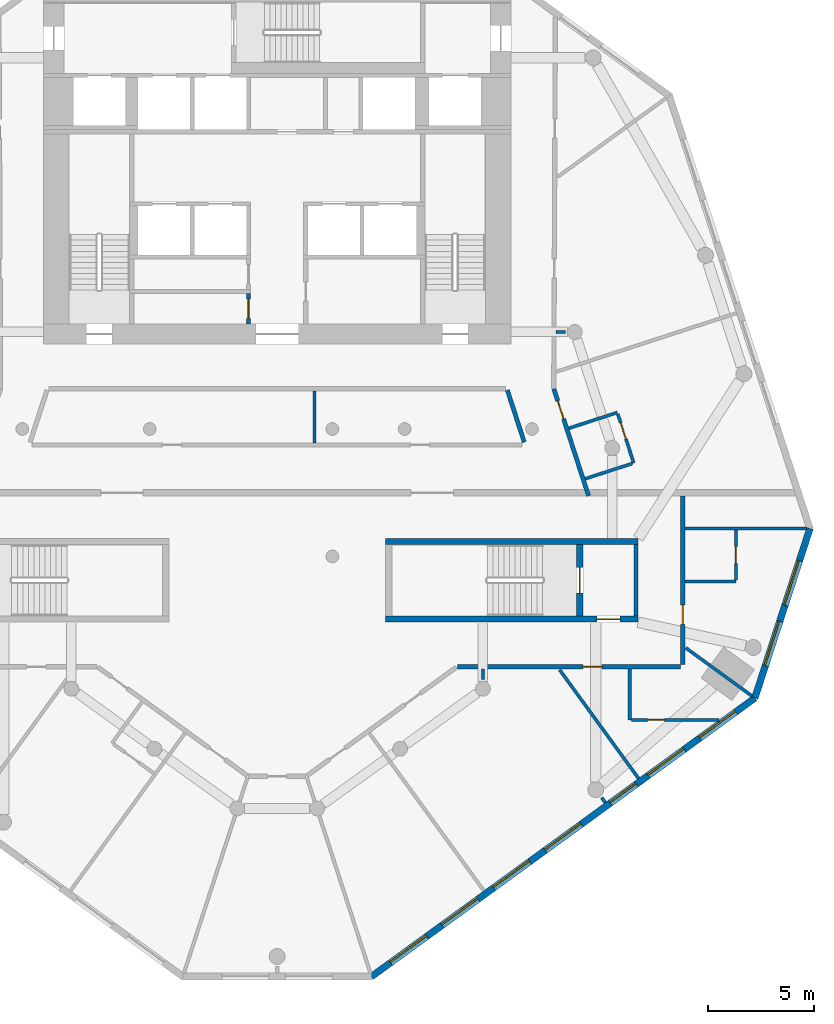
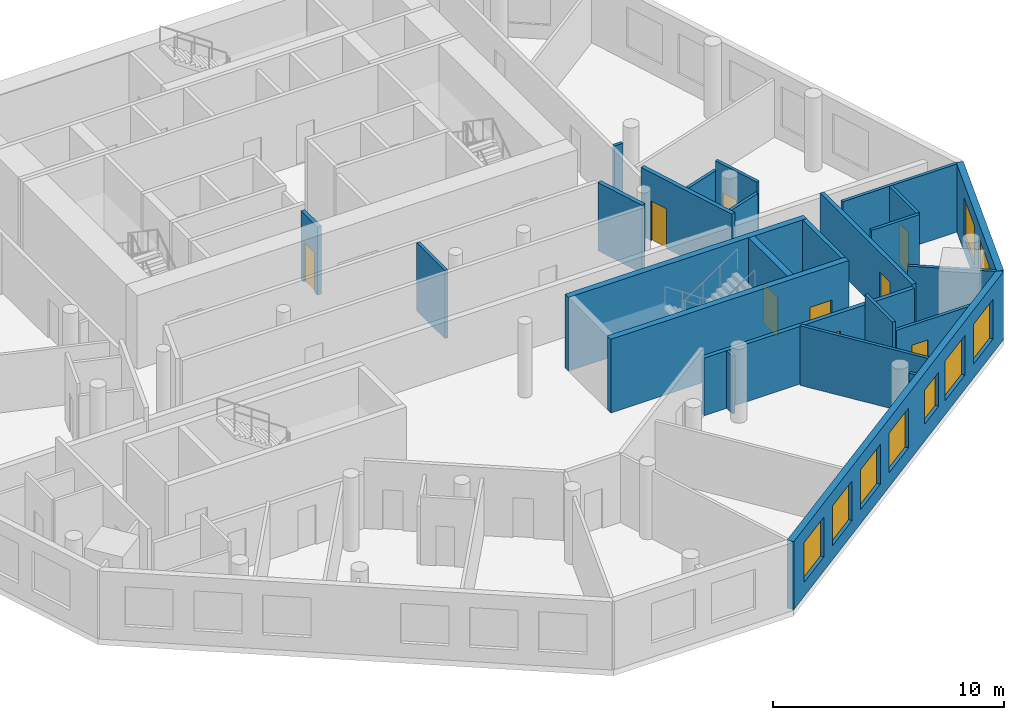
# One storey, part 4 of 9: 25 walls, 9 doors, 9 windows, 18 openings.
"""IFC4 building model written with IfcOpenShell, lengths in metres."""

from ifc_helpers import new_model, si_unit, direction, frame, frame_2d, origin, place, context, subcontext, project, spatial, rectangle, extrude, material, layer, layer_set, type_object, element, fill, save


model = new_model("IFC4")

# Units and contexts
model_context = context("Model", 3, precision=1e-05, world=origin(), true_north=direction((0.0, 1.0)))
body_context = subcontext(model_context, "Body", "Model", "MODEL_VIEW")
ifc_project = project(units=[si_unit("LENGTHUNIT", "METRE"), si_unit("AREAUNIT", "SQUARE_METRE"), si_unit("VOLUMEUNIT", "CUBIC_METRE"), si_unit("PLANEANGLEUNIT", "RADIAN"), si_unit("MASSUNIT", "GRAM", prefix="KILO")], contexts=[model_context])

# Site, building, storey
site_placement = place(None, origin())
site = spatial("IfcSite", under=ifc_project, at=site_placement, CompositionType="ELEMENT")
building_placement = place(site_placement, origin())
building = spatial("IfcBuilding", under=site, at=building_placement, Name="White Candle Pilgrim Tower", CompositionType="ELEMENT")
storey_placement = place(building_placement, frame((0.0, 0.0, 175.89990234375)))
storey = spatial("IfcBuildingStorey", under=building, at=storey_placement, Name="L40", CompositionType="ELEMENT", Elevation=175.89990234375)

# Wall
ifc_material_1 = material(Name="Concrete C60/75", Category="concrete")
ifc_layer_1 = layer(ifc_material_1, 0.199951171875)
ifc_layer_set_1 = layer_set([ifc_layer_1], Name="Core wall 200 mm Concrete C60/75")
wall_type_1 = type_object("IfcWallType", Name="Core wall 200 mm Concrete C60/75", PredefinedType="SHEAR", material=ifc_layer_set_1)
wall_1_placement = place(storey_placement, frame((86.89990234375, 58.199951171875, 0.0), z_axis=(0.0, 0.0, 1.0), x_axis=(0.0, 1.0, 0.0)))
element("IfcWall", 1, at=wall_1_placement, inside=storey, type_object=wall_type_1, Name="WL-L40-C08", PredefinedType="SHEAR", context=body_context, shape_type="SweptSolid", body=[
    extrude(rectangle(XDim=3.35009765625, YDim=0.199951171875, at=frame_2d((1.675048828125, 0.0))), origin(), (0.0, 0.0, 1.0), 3.900146484375),
])

# Wall, opening, door
ifc_material_2 = material(Name="Gypsum board on steel studs", Category="steel")
ifc_layer_2 = layer(ifc_material_2, 0.199951171875)
ifc_layer_set_2 = layer_set([ifc_layer_2], Name="Corridor wall 200 mm EI 45")
wall_type_2 = type_object("IfcWallType", Name="Corridor wall 200 mm EI 45", PredefinedType="PARTITIONING", material=ifc_layer_set_2)
wall_2_placement = place(storey_placement, frame((83.029541015625, 68.884765625, 0.0), z_axis=(0.0, 0.0, 1.0), x_axis=(0.308996388153, -0.951063211416, 0.0)))
wall_2 = element("IfcWall", 2, at=wall_2_placement, inside=storey, type_object=wall_type_2, Name="WL-L40-P005", PredefinedType="PARTITIONING", context=body_context, shape_type="SweptSolid", body=[
    extrude(rectangle(XDim=5.293701171875, YDim=0.199951171875, at=frame_2d((2.64697265625, 0.0))), origin(), (0.0, 0.0, 1.0), 3.60009765625),
])
opening_1_placement = place(wall_2_placement, frame((0.588134765625, 0.0, 0.0)))
opening_1 = element("IfcOpeningElement", 3, at=opening_1_placement, cuts=wall_2, Name="Opening T12-127", PredefinedType="OPENING", context=body_context, shape_type="SweptSolid", body=[
    extrude(rectangle(XDim=0.89990234375, YDim=2.10009765625, at=frame_2d((0.449951171875, 1.050048828125))), frame((0.0, 0.10986328125, 0.0), z_axis=(0.0, -1.0, 0.0), x_axis=(1.0, 0.0, 0.0)), (0.0, 0.0, 1.0), 0.219970703125),
])
ifc_material_3 = material(Name="Steel door leaf", Category="steel")
door_type_1 = type_object("IfcDoorType", Name="Fire door 900 x 2100 EI 30", OperationType="NOTDEFINED", PredefinedType="DOOR", material=ifc_material_3)
door_1_placement = place(opening_1_placement, origin())
door_1 = element("IfcDoor", 4, at=door_1_placement, inside=storey, type_object=door_type_1, Name="Door T12-127", OperationType="SINGLE_SWING_LEFT", OverallHeight=2.10009765625, OverallWidth=0.89990234375, PredefinedType="DOOR", context=body_context, shape_type="SweptSolid", body=[
    extrude(rectangle(XDim=0.89990234375, YDim=2.10009765625, at=frame_2d((0.449951171875, 1.050048828125))), frame((0.0, 0.02490234375, 0.0), z_axis=(0.0, -1.0, 0.0), x_axis=(1.0, 0.0, 0.0)), (0.0, 0.0, 1.0), 0.050048828125),
])
fill(opening_1, door_1)

wall_3_placement = place(storey_placement, frame((89.10009765625, 63.85009765625, 0.0), z_axis=(0.0, 0.0, 1.0), x_axis=(0.0, -1.0, 0.0)))
wall_3 = element("IfcWall", 5, at=wall_3_placement, inside=storey, type_object=wall_type_2, Name="WL-L40-P006", PredefinedType="PARTITIONING", context=body_context, shape_type="SweptSolid", body=[
    extrude(rectangle(XDim=7.9501953125, YDim=0.199951171875, at=frame_2d((3.97509765625, 0.0))), origin(), (0.0, 0.0, 1.0), 3.150146484375),
])
opening_2_placement = place(wall_3_placement, frame((5.145263671875, 0.0, 0.0)))
opening_2 = element("IfcOpeningElement", 6, at=opening_2_placement, cuts=wall_3, Name="Opening T12-116", PredefinedType="OPENING", context=body_context, shape_type="SweptSolid", body=[
    extrude(rectangle(XDim=0.89990234375, YDim=2.10009765625, at=frame_2d((0.449951171875, 1.050048828125))), frame((0.0, 0.10986328125, 0.0), z_axis=(0.0, -1.0, 0.0), x_axis=(1.0, 0.0, 0.0)), (0.0, 0.0, 1.0), 0.219970703125),
])
door_2_placement = place(opening_2_placement, origin())
door_2 = element("IfcDoor", 7, at=door_2_placement, inside=storey, type_object=door_type_1, Name="Door T12-116", OperationType="SINGLE_SWING_RIGHT", OverallHeight=2.10009765625, OverallWidth=0.89990234375, PredefinedType="DOOR", context=body_context, shape_type="SweptSolid", body=[
    extrude(rectangle(XDim=0.89990234375, YDim=2.10009765625, at=frame_2d((0.449951171875, 1.050048828125))), frame((0.0, 0.02490234375, 0.0), z_axis=(0.0, -1.0, 0.0), x_axis=(1.0, 0.0, 0.0)), (0.0, 0.0, 1.0), 0.050048828125),
])
fill(opening_2, door_2)

wall_4_placement = place(storey_placement, frame((89.0, 55.800048828125, 0.0), z_axis=(0.0, 0.0, 1.0), x_axis=(-1.0, 0.0, 0.0)))
wall_4 = element("IfcWall", 8, at=wall_4_placement, inside=storey, type_object=wall_type_2, Name="WL-L40-P007", PredefinedType="PARTITIONING", context=body_context, shape_type="SweptSolid", body=[
    extrude(rectangle(XDim=10.5068359375, YDim=0.199951171875, at=frame_2d((5.25341796875, 0.0))), origin(), (0.0, 0.0, 1.0), 3.050048828125),
])
opening_3_placement = place(wall_4_placement, frame((3.700927734375, 0.0, 0.0)))
opening_3 = element("IfcOpeningElement", 9, at=opening_3_placement, cuts=wall_4, Name="Opening T12-114", PredefinedType="OPENING", context=body_context, shape_type="SweptSolid", body=[
    extrude(rectangle(XDim=0.89990234375, YDim=2.10009765625, at=frame_2d((0.449951171875, 1.050048828125))), frame((0.0, 0.10986328125, 0.0), z_axis=(0.0, -1.0, 0.0), x_axis=(1.0, 0.0, 0.0)), (0.0, 0.0, 1.0), 0.219970703125),
])
door_3_placement = place(opening_3_placement, origin())
door_3 = element("IfcDoor", 10, at=door_3_placement, inside=storey, type_object=door_type_1, Name="Door T12-114", OperationType="SINGLE_SWING_RIGHT", OverallHeight=2.10009765625, OverallWidth=0.89990234375, PredefinedType="DOOR", context=body_context, shape_type="SweptSolid", body=[
    extrude(rectangle(XDim=0.89990234375, YDim=2.10009765625, at=frame_2d((0.449951171875, 1.050048828125))), frame((0.0, 0.02490234375, 0.0), z_axis=(0.0, -1.0, 0.0), x_axis=(1.0, 0.0, 0.0)), (0.0, 0.0, 1.0), 0.050048828125),
])
fill(opening_3, door_3)

# Wall
wall_5_placement = place(storey_placement, frame((81.635009765625, 66.380859375, 0.0), z_axis=(0.0, 0.0, 1.0), x_axis=(-0.309053927645, 0.951044515155, 0.0)))
element("IfcWall", 11, at=wall_5_placement, inside=storey, type_object=wall_type_2, Name="WL-L40-P015", PredefinedType="PARTITIONING", context=body_context, shape_type="SweptSolid", body=[
    extrude(rectangle(XDim=2.576171875, YDim=0.199951171875, at=frame_2d((1.2880859375, 0.0))), origin(), (0.0, 0.0, 1.0), 3.60009765625),
])

# Wall, openings, windows
ifc_material_4 = material(Name="Precast concrete C40/50", Category="concrete")
ifc_layer_3 = layer(ifc_material_4, 0.320068359375)
ifc_layer_set_3 = layer_set([ifc_layer_3], Name="Facade wall EW1 precast concrete C40/50 pier wall with timber-lined reveals")
wall_type_3 = type_object("IfcWallType", Name="Facade wall EW1 precast concrete C40/50 pier wall with timber-lined reveals", PredefinedType="SOLIDWALL", material=ifc_layer_set_3)
wall_6_placement = place(storey_placement, frame((74.44384765625, 41.213134765625, 0.0), z_axis=(0.0, 0.0, 1.0), x_axis=(0.80901752216, 0.587784525858, 0.0)))
wall_6 = element("IfcWall", 12, at=wall_6_placement, inside=storey, type_object=wall_type_3, Name="Facade wall L40 SE", PredefinedType="SOLIDWALL", context=body_context, shape_type="SweptSolid", body=[
    extrude(rectangle(XDim=22.3125, YDim=0.320068359375, at=frame_2d((11.15625, 0.0))), origin(), (0.0, 0.0, 1.0), 3.60009765625),
])
opening_4_placement = place(wall_6_placement, frame((1.1064453125, 0.0, 0.75)))
opening_4 = element("IfcOpeningElement", 13, at=opening_4_placement, cuts=wall_6, Name="Opening W3", PredefinedType="OPENING", context=body_context, shape_type="SweptSolid", body=[
    extrude(rectangle(XDim=2.10009765625, YDim=2.10009765625, at=frame_2d((1.050048828125, 1.050048828125))), frame((0.0, 0.169921875, 0.0), z_axis=(0.0, -1.0, 0.0), x_axis=(1.0, 0.0, 0.0)), (0.0, 0.0, 1.0), 0.340087890625),
])
opening_5_placement = place(wall_6_placement, frame((4.1064453125, 0.0, 0.75)))
opening_5 = element("IfcOpeningElement", 14, at=opening_5_placement, cuts=wall_6, Name="Opening W3", PredefinedType="OPENING", context=body_context, shape_type="SweptSolid", body=[
    extrude(rectangle(XDim=2.10009765625, YDim=2.10009765625, at=frame_2d((1.050048828125, 1.050048828125))), frame((0.0, 0.169921875, 0.0), z_axis=(0.0, -1.0, 0.0), x_axis=(1.0, 0.0, 0.0)), (0.0, 0.0, 1.0), 0.340087890625),
])
opening_6_placement = place(wall_6_placement, frame((7.1064453125, 0.0, 0.75)))
opening_6 = element("IfcOpeningElement", 15, at=opening_6_placement, cuts=wall_6, Name="Opening W3", PredefinedType="OPENING", context=body_context, shape_type="SweptSolid", body=[
    extrude(rectangle(XDim=2.10009765625, YDim=2.10009765625, at=frame_2d((1.050048828125, 1.050048828125))), frame((0.0, 0.169921875, 0.0), z_axis=(0.0, -1.0, 0.0), x_axis=(1.0, 0.0, 0.0)), (0.0, 0.0, 1.0), 0.340087890625),
])
opening_7_placement = place(wall_6_placement, frame((10.1064453125, 0.0, 0.75)))
opening_7 = element("IfcOpeningElement", 16, at=opening_7_placement, cuts=wall_6, Name="Opening W3", PredefinedType="OPENING", context=body_context, shape_type="SweptSolid", body=[
    extrude(rectangle(XDim=2.10009765625, YDim=2.10009765625, at=frame_2d((1.050048828125, 1.050048828125))), frame((0.0, 0.169921875, 0.0), z_axis=(0.0, -1.0, 0.0), x_axis=(1.0, 0.0, 0.0)), (0.0, 0.0, 1.0), 0.340087890625),
])
opening_8_placement = place(wall_6_placement, frame((13.906494140625, 0.0, 0.89990234375)))
opening_8 = element("IfcOpeningElement", 17, at=opening_8_placement, cuts=wall_6, Name="Opening W1", PredefinedType="OPENING", context=body_context, shape_type="SweptSolid", body=[
    extrude(rectangle(XDim=1.5, YDim=1.800048828125, at=frame_2d((0.75, 0.89990234375))), frame((0.0, 0.169921875, 0.0), z_axis=(0.0, -1.0, 0.0), x_axis=(1.0, 0.0, 0.0)), (0.0, 0.0, 1.0), 0.340087890625),
])
opening_9_placement = place(wall_6_placement, frame((16.1064453125, 0.0, 0.75)))
opening_9 = element("IfcOpeningElement", 18, at=opening_9_placement, cuts=wall_6, Name="Opening W3", PredefinedType="OPENING", context=body_context, shape_type="SweptSolid", body=[
    extrude(rectangle(XDim=2.10009765625, YDim=2.10009765625, at=frame_2d((1.050048828125, 1.050048828125))), frame((0.0, 0.169921875, 0.0), z_axis=(0.0, -1.0, 0.0), x_axis=(1.0, 0.0, 0.0)), (0.0, 0.0, 1.0), 0.340087890625),
])
opening_10_placement = place(wall_6_placement, frame((19.1064453125, 0.0, 0.75)))
opening_10 = element("IfcOpeningElement", 19, at=opening_10_placement, cuts=wall_6, Name="Opening W3", PredefinedType="OPENING", context=body_context, shape_type="SweptSolid", body=[
    extrude(rectangle(XDim=2.10009765625, YDim=2.10009765625, at=frame_2d((1.050048828125, 1.050048828125))), frame((0.0, 0.169921875, 0.0), z_axis=(0.0, -1.0, 0.0), x_axis=(1.0, 0.0, 0.0)), (0.0, 0.0, 1.0), 0.340087890625),
])
ifc_material_5 = material(Name="Timber frame with triple glazing", Category="wood")
window_type_1 = type_object("IfcWindowType", Name="Window W1 1500x1800 timber frame triple glazing", PartitioningType="SINGLE_PANEL", PredefinedType="WINDOW", material=ifc_material_5)
window_1_placement = place(opening_8_placement, origin())
window_1 = element("IfcWindow", 20, at=window_1_placement, inside=storey, type_object=window_type_1, Name="Window W1 L40 SE 5", OverallHeight=1.800048828125, OverallWidth=1.5, PartitioningType="SINGLE_PANEL", PredefinedType="WINDOW", context=body_context, shape_type="SweptSolid", body=[
    extrude(rectangle(XDim=1.5, YDim=1.800048828125, at=frame_2d((0.75, 0.89990234375))), frame((0.0, 0.070068359375, 0.0), z_axis=(0.0, -1.0, 0.0), x_axis=(1.0, 0.0, 0.0)), (0.0, 0.0, 1.0), 0.06005859375),
])
fill(opening_8, window_1)
window_type_2 = type_object("IfcWindowType", Name="Window W3 2100x2100 timber frame triple glazing", PartitioningType="SINGLE_PANEL", PredefinedType="WINDOW", material=ifc_material_5)
window_2_placement = place(opening_4_placement, origin())
window_2 = element("IfcWindow", 21, at=window_2_placement, inside=storey, type_object=window_type_2, Name="Window W3 L40 SE 1", OverallHeight=2.10009765625, OverallWidth=2.10009765625, PartitioningType="SINGLE_PANEL", PredefinedType="WINDOW", context=body_context, shape_type="SweptSolid", body=[
    extrude(rectangle(XDim=2.10009765625, YDim=2.10009765625, at=frame_2d((1.050048828125, 1.050048828125))), frame((0.0, 0.070068359375, 0.0), z_axis=(0.0, -1.0, 0.0), x_axis=(1.0, 0.0, 0.0)), (0.0, 0.0, 1.0), 0.06005859375),
])
fill(opening_4, window_2)
window_3_placement = place(opening_5_placement, origin())
window_3 = element("IfcWindow", 22, at=window_3_placement, inside=storey, type_object=window_type_2, Name="Window W3 L40 SE 2", OverallHeight=2.10009765625, OverallWidth=2.10009765625, PartitioningType="SINGLE_PANEL", PredefinedType="WINDOW", context=body_context, shape_type="SweptSolid", body=[
    extrude(rectangle(XDim=2.10009765625, YDim=2.10009765625, at=frame_2d((1.050048828125, 1.050048828125))), frame((0.0, 0.070068359375, 0.0), z_axis=(0.0, -1.0, 0.0), x_axis=(1.0, 0.0, 0.0)), (0.0, 0.0, 1.0), 0.06005859375),
])
fill(opening_5, window_3)
window_4_placement = place(opening_6_placement, origin())
window_4 = element("IfcWindow", 23, at=window_4_placement, inside=storey, type_object=window_type_2, Name="Window W3 L40 SE 3", OverallHeight=2.10009765625, OverallWidth=2.10009765625, PartitioningType="SINGLE_PANEL", PredefinedType="WINDOW", context=body_context, shape_type="SweptSolid", body=[
    extrude(rectangle(XDim=2.10009765625, YDim=2.10009765625, at=frame_2d((1.050048828125, 1.050048828125))), frame((0.0, 0.070068359375, 0.0), z_axis=(0.0, -1.0, 0.0), x_axis=(1.0, 0.0, 0.0)), (0.0, 0.0, 1.0), 0.06005859375),
])
fill(opening_6, window_4)
window_5_placement = place(opening_7_placement, origin())
window_5 = element("IfcWindow", 24, at=window_5_placement, inside=storey, type_object=window_type_2, Name="Window W3 L40 SE 4", OverallHeight=2.10009765625, OverallWidth=2.10009765625, PartitioningType="SINGLE_PANEL", PredefinedType="WINDOW", context=body_context, shape_type="SweptSolid", body=[
    extrude(rectangle(XDim=2.10009765625, YDim=2.10009765625, at=frame_2d((1.050048828125, 1.050048828125))), frame((0.0, 0.070068359375, 0.0), z_axis=(0.0, -1.0, 0.0), x_axis=(1.0, 0.0, 0.0)), (0.0, 0.0, 1.0), 0.06005859375),
])
fill(opening_7, window_5)
window_6_placement = place(opening_9_placement, origin())
window_6 = element("IfcWindow", 25, at=window_6_placement, inside=storey, type_object=window_type_2, Name="Window W3 L40 SE 6", OverallHeight=2.10009765625, OverallWidth=2.10009765625, PartitioningType="SINGLE_PANEL", PredefinedType="WINDOW", context=body_context, shape_type="SweptSolid", body=[
    extrude(rectangle(XDim=2.10009765625, YDim=2.10009765625, at=frame_2d((1.050048828125, 1.050048828125))), frame((0.0, 0.070068359375, 0.0), z_axis=(0.0, -1.0, 0.0), x_axis=(1.0, 0.0, 0.0)), (0.0, 0.0, 1.0), 0.06005859375),
])
fill(opening_9, window_6)
window_7_placement = place(opening_10_placement, origin())
window_7 = element("IfcWindow", 26, at=window_7_placement, inside=storey, type_object=window_type_2, Name="Window W3 L40 SE 7", OverallHeight=2.10009765625, OverallWidth=2.10009765625, PartitioningType="SINGLE_PANEL", PredefinedType="WINDOW", context=body_context, shape_type="SweptSolid", body=[
    extrude(rectangle(XDim=2.10009765625, YDim=2.10009765625, at=frame_2d((1.050048828125, 1.050048828125))), frame((0.0, 0.070068359375, 0.0), z_axis=(0.0, -1.0, 0.0), x_axis=(1.0, 0.0, 0.0)), (0.0, 0.0, 1.0), 0.06005859375),
])
fill(opening_10, window_7)

wall_7_placement = place(storey_placement, frame((92.4951171875, 54.328125, 0.0), z_axis=(0.0, 0.0, 1.0), x_axis=(0.309022961141, 0.951054577555, 0.0)))
wall_7 = element("IfcWall", 27, at=wall_7_placement, inside=storey, type_object=wall_type_3, Name="Facade wall L40 E chamfer", PredefinedType="SOLIDWALL", context=body_context, shape_type="SweptSolid", body=[
    extrude(rectangle(XDim=8.3974609375, YDim=0.320068359375, at=frame_2d((4.19873046875, 0.0))), origin(), (0.0, 0.0, 1.0), 3.60009765625),
])
opening_11_placement = place(wall_7_placement, frame((1.5986328125, 0.0, 0.75)))
opening_11 = element("IfcOpeningElement", 28, at=opening_11_placement, cuts=wall_7, Name="Opening W4", PredefinedType="OPENING", context=body_context, shape_type="SweptSolid", body=[
    extrude(rectangle(XDim=2.199951171875, YDim=2.10009765625, at=frame_2d((1.10009765625, 1.050048828125))), frame((0.0, 0.169921875, 0.0), z_axis=(0.0, -1.0, 0.0), x_axis=(1.0, 0.0, 0.0)), (0.0, 0.0, 1.0), 0.340087890625),
])
opening_12_placement = place(wall_7_placement, frame((4.5986328125, 0.0, 0.75)))
opening_12 = element("IfcOpeningElement", 29, at=opening_12_placement, cuts=wall_7, Name="Opening W4", PredefinedType="OPENING", context=body_context, shape_type="SweptSolid", body=[
    extrude(rectangle(XDim=2.199951171875, YDim=2.10009765625, at=frame_2d((1.10009765625, 1.050048828125))), frame((0.0, 0.169921875, 0.0), z_axis=(0.0, -1.0, 0.0), x_axis=(1.0, 0.0, 0.0)), (0.0, 0.0, 1.0), 0.340087890625),
])
window_type_3 = type_object("IfcWindowType", Name="Window W4 2200x2100 timber frame triple glazing", PartitioningType="SINGLE_PANEL", PredefinedType="WINDOW", material=ifc_material_5)
window_8_placement = place(opening_11_placement, origin())
window_8 = element("IfcWindow", 30, at=window_8_placement, inside=storey, type_object=window_type_3, Name="Window W4 L40 E chamfer 1", OverallHeight=2.10009765625, OverallWidth=2.199951171875, PartitioningType="SINGLE_PANEL", PredefinedType="WINDOW", context=body_context, shape_type="SweptSolid", body=[
    extrude(rectangle(XDim=2.199951171875, YDim=2.10009765625, at=frame_2d((1.10009765625, 1.050048828125))), frame((0.0, 0.070068359375, 0.0), z_axis=(0.0, -1.0, 0.0), x_axis=(1.0, 0.0, 0.0)), (0.0, 0.0, 1.0), 0.06005859375),
])
fill(opening_11, window_8)
window_9_placement = place(opening_12_placement, origin())
window_9 = element("IfcWindow", 31, at=window_9_placement, inside=storey, type_object=window_type_3, Name="Window W4 L40 E chamfer 2", OverallHeight=2.10009765625, OverallWidth=2.199951171875, PartitioningType="SINGLE_PANEL", PredefinedType="WINDOW", context=body_context, shape_type="SweptSolid", body=[
    extrude(rectangle(XDim=2.199951171875, YDim=2.10009765625, at=frame_2d((1.10009765625, 1.050048828125))), frame((0.0, 0.070068359375, 0.0), z_axis=(0.0, -1.0, 0.0), x_axis=(1.0, 0.0, 0.0)), (0.0, 0.0, 1.0), 0.06005859375),
])
fill(opening_12, window_9)

# Wall, opening, door
ifc_layer_4 = layer(ifc_material_2, 0.199951171875)
ifc_layer_set_4 = layer_set([ifc_layer_4], Name="Lobby wall 200 mm EI 60")
wall_type_4 = type_object("IfcWallType", Name="Lobby wall 200 mm EI 60", PredefinedType="PARTITIONING", material=ifc_layer_set_4)
wall_8_placement = place(storey_placement, frame((68.64990234375, 71.949951171875, 0.0), z_axis=(0.0, 0.0, 1.0), x_axis=(0.0, 1.0, 0.0)))
wall_8 = element("IfcWall", 32, at=wall_8_placement, inside=storey, type_object=wall_type_4, Name="WL-L40-C14", PredefinedType="PARTITIONING", context=body_context, shape_type="SweptSolid", body=[
    extrude(rectangle(XDim=1.425048828125, YDim=0.199951171875, at=frame_2d((0.71240234375, 0.0))), origin(), (0.0, 0.0, 1.0), 3.60009765625),
])
opening_13_placement = place(wall_8_placement, frame((0.262451171875, 0.0, 0.0)))
opening_13 = element("IfcOpeningElement", 33, at=opening_13_placement, cuts=wall_8, Name="Opening T12-005", PredefinedType="OPENING", context=body_context, shape_type="SweptSolid", body=[
    extrude(rectangle(XDim=0.89990234375, YDim=2.10009765625, at=frame_2d((0.449951171875, 1.050048828125))), frame((0.0, 0.10986328125, 0.0), z_axis=(0.0, -1.0, 0.0), x_axis=(1.0, 0.0, 0.0)), (0.0, 0.0, 1.0), 0.219970703125),
])
door_4_placement = place(opening_13_placement, origin())
door_4 = element("IfcDoor", 34, at=door_4_placement, inside=storey, type_object=door_type_1, Name="Door T12-005", OperationType="SINGLE_SWING_LEFT", OverallHeight=2.10009765625, OverallWidth=0.89990234375, PredefinedType="DOOR", context=body_context, shape_type="SweptSolid", body=[
    extrude(rectangle(XDim=0.89990234375, YDim=2.10009765625, at=frame_2d((0.449951171875, 1.050048828125))), frame((0.0, 0.02490234375, 0.0), z_axis=(0.0, -1.0, 0.0), x_axis=(1.0, 0.0, 0.0)), (0.0, 0.0, 1.0), 0.050048828125),
])
fill(opening_13, door_4)

# Walls
ifc_layer_5 = layer(ifc_material_2, 0.14990234375)
ifc_layer_set_5 = layer_set([ifc_layer_5], Name="Partition 150 mm EI 60")
wall_type_5 = type_object("IfcWallType", Name="Partition 150 mm EI 60", PredefinedType="PARTITIONING", material=ifc_layer_set_5)
wall_9_placement = place(storey_placement, frame((92.35888671875, 54.427001953125, 0.0), z_axis=(0.0, 0.0, 1.0), x_axis=(-0.808993762588, 0.587817226775, 0.0)))
element("IfcWall", 35, at=wall_9_placement, inside=storey, type_object=wall_type_5, Name="WL-L40-P022", PredefinedType="PARTITIONING", context=body_context, shape_type="SweptSolid", body=[
    extrude(rectangle(XDim=3.85009765625, YDim=0.14990234375, at=frame_2d((1.925048828125, 0.0))), origin(), (0.0, 0.0, 1.0), 3.60009765625),
])
wall_10_placement = place(storey_placement, frame((94.921875, 62.314453125, 0.0), z_axis=(0.0, 0.0, 1.0), x_axis=(-1.0, 0.0, 0.0)))
element("IfcWall", 36, at=wall_10_placement, inside=storey, type_object=wall_type_5, Name="WL-L40-P023", PredefinedType="PARTITIONING", context=body_context, shape_type="SweptSolid", body=[
    extrude(rectangle(XDim=5.721923828125, YDim=0.14990234375, at=frame_2d((2.86083984375, 0.0))), origin(), (0.0, 0.0, 1.0), 3.60009765625),
])
wall_11_placement = place(storey_placement, frame((87.01611328125, 50.545166015625, 0.0), z_axis=(0.0, 0.0, 1.0), x_axis=(-0.587799384359, 0.809006726639, 0.0)))
element("IfcWall", 37, at=wall_11_placement, inside=storey, type_object=wall_type_5, Name="WL-L40-P039", PredefinedType="PARTITIONING", context=body_context, shape_type="SweptSolid", body=[
    extrude(rectangle(XDim=6.3173828125, YDim=0.14990234375, at=frame_2d((3.15869140625, 0.0))), origin(), (0.0, 0.0, 1.0), 3.150146484375),
])
wall_12_placement = place(storey_placement, frame((86.60009765625, 55.699951171875, 0.0), z_axis=(0.0, 0.0, 1.0), x_axis=(0.0, -1.0, 0.0)))
element("IfcWall", 38, at=wall_12_placement, inside=storey, type_object=wall_type_5, Name="WL-L40-P040", PredefinedType="PARTITIONING", context=body_context, shape_type="SweptSolid", body=[
    extrude(rectangle(XDim=2.39990234375, YDim=0.14990234375, at=frame_2d((1.199951171875, 0.0))), origin(), (0.0, 0.0, 1.0), 3.60009765625),
])

# Wall, opening, door
wall_13_placement = place(storey_placement, frame((90.807861328125, 53.300048828125, 0.0), z_axis=(0.0, 0.0, 1.0), x_axis=(-1.0, 0.0, 0.0)))
wall_13 = element("IfcWall", 39, at=wall_13_placement, inside=storey, type_object=wall_type_5, Name="WL-L40-P041", PredefinedType="PARTITIONING", context=body_context, shape_type="SweptSolid", body=[
    extrude(rectangle(XDim=4.1328125, YDim=0.14990234375, at=frame_2d((2.06640625, 0.0))), origin(), (0.0, 0.0, 1.0), 3.150146484375),
])
opening_14_placement = place(wall_13_placement, frame((2.557861328125, 0.0, 0.0)))
opening_14 = element("IfcOpeningElement", 40, at=opening_14_placement, cuts=wall_13, Name="Opening T12-113", PredefinedType="OPENING", context=body_context, shape_type="SweptSolid", body=[
    extrude(rectangle(XDim=0.800048828125, YDim=2.10009765625, at=frame_2d((0.39990234375, 1.050048828125))), frame((0.0, 0.0849609375, 0.0), z_axis=(0.0, -1.0, 0.0), x_axis=(1.0, 0.0, 0.0)), (0.0, 0.0, 1.0), 0.169921875),
])
door_type_2 = type_object("IfcDoorType", Name="Fire door 800 x 2100 EI 30", OperationType="NOTDEFINED", PredefinedType="DOOR", material=ifc_material_3)
door_5_placement = place(opening_14_placement, origin())
door_5 = element("IfcDoor", 41, at=door_5_placement, inside=storey, type_object=door_type_2, Name="Door T12-113", OperationType="SINGLE_SWING_LEFT", OverallHeight=2.10009765625, OverallWidth=0.800048828125, PredefinedType="DOOR", context=body_context, shape_type="SweptSolid", body=[
    extrude(rectangle(XDim=0.800048828125, YDim=2.10009765625, at=frame_2d((0.39990234375, 1.050048828125))), frame((0.0, 0.02490234375, 0.0), z_axis=(0.0, -1.0, 0.0), x_axis=(1.0, 0.0, 0.0)), (0.0, 0.0, 1.0), 0.050048828125),
])
fill(opening_14, door_5)

# Wall
wall_14_placement = place(storey_placement, frame((89.199951171875, 59.814453125, 0.0), z_axis=(0.0, 0.0, 1.0), x_axis=(1.0, 0.0, 0.0)))
element("IfcWall", 42, at=wall_14_placement, inside=storey, type_object=wall_type_5, Name="WL-L40-P042", PredefinedType="PARTITIONING", context=body_context, shape_type="SweptSolid", body=[
    extrude(rectangle(XDim=2.400146484375, YDim=0.14990234375, at=frame_2d((1.2001953125, 0.0))), origin(), (0.0, 0.0, 1.0), 3.60009765625),
])

# Wall, opening, door
wall_15_placement = place(storey_placement, frame((91.60009765625, 62.239501953125, 0.0), z_axis=(0.0, 0.0, 1.0), x_axis=(0.0, -1.0, 0.0)))
wall_15 = element("IfcWall", 43, at=wall_15_placement, inside=storey, type_object=wall_type_5, Name="WL-L40-P043", PredefinedType="PARTITIONING", context=body_context, shape_type="SweptSolid", body=[
    extrude(rectangle(XDim=2.35009765625, YDim=0.14990234375, at=frame_2d((1.175048828125, 0.0))), origin(), (0.0, 0.0, 1.0), 3.60009765625),
])
opening_15_placement = place(wall_15_placement, frame((0.77490234375, 0.0, 0.0)))
opening_15 = element("IfcOpeningElement", 44, at=opening_15_placement, cuts=wall_15, Name="Opening T12-115", PredefinedType="OPENING", context=body_context, shape_type="SweptSolid", body=[
    extrude(rectangle(XDim=0.800048828125, YDim=2.10009765625, at=frame_2d((0.39990234375, 1.050048828125))), frame((0.0, 0.0849609375, 0.0), z_axis=(0.0, -1.0, 0.0), x_axis=(1.0, 0.0, 0.0)), (0.0, 0.0, 1.0), 0.169921875),
])
door_6_placement = place(opening_15_placement, origin())
door_6 = element("IfcDoor", 45, at=door_6_placement, inside=storey, type_object=door_type_2, Name="Door T12-115", OperationType="SINGLE_SWING_LEFT", OverallHeight=2.10009765625, OverallWidth=0.800048828125, PredefinedType="DOOR", context=body_context, shape_type="SweptSolid", body=[
    extrude(rectangle(XDim=0.800048828125, YDim=2.10009765625, at=frame_2d((0.39990234375, 1.050048828125))), frame((0.0, 0.02490234375, 0.0), z_axis=(0.0, -1.0, 0.0), x_axis=(1.0, 0.0, 0.0)), (0.0, 0.0, 1.0), 0.050048828125),
])
fill(opening_15, door_6)

# Wall
wall_16_placement = place(storey_placement, frame((83.736083984375, 67.0341796875, 0.0), z_axis=(0.0, 0.0, 1.0), x_axis=(0.951076672559, 0.308954952889, 0.0)))
element("IfcWall", 46, at=wall_16_placement, inside=storey, type_object=wall_type_5, Name="WL-L40-P045", PredefinedType="PARTITIONING", context=body_context, shape_type="SweptSolid", body=[
    extrude(rectangle(XDim=2.39990234375, YDim=0.14990234375, at=frame_2d((1.199951171875, 0.0))), origin(), (0.0, 0.0, 1.0), 3.050048828125),
])

# Wall, opening, door
wall_17_placement = place(storey_placement, frame((86.791015625, 65.398193359375, 0.0), z_axis=(0.0, 0.0, 1.0), x_axis=(-0.308999558984, 0.95106218122, 0.0)))
wall_17 = element("IfcWall", 47, at=wall_17_placement, inside=storey, type_object=wall_type_5, Name="WL-L40-P046", PredefinedType="PARTITIONING", context=body_context, shape_type="SweptSolid", body=[
    extrude(rectangle(XDim=2.4248046875, YDim=0.14990234375, at=frame_2d((1.21240234375, 0.0))), origin(), (0.0, 0.0, 1.0), 3.60009765625),
])
opening_16_placement = place(wall_17_placement, frame((1.199951171875, 0.0, 0.0)))
opening_16 = element("IfcOpeningElement", 48, at=opening_16_placement, cuts=wall_17, Name="Opening T12-117", PredefinedType="OPENING", context=body_context, shape_type="SweptSolid", body=[
    extrude(rectangle(XDim=0.800048828125, YDim=2.10009765625, at=frame_2d((0.39990234375, 1.050048828125))), frame((0.0, 0.0849609375, 0.0), z_axis=(0.0, -1.0, 0.0), x_axis=(1.0, 0.0, 0.0)), (0.0, 0.0, 1.0), 0.169921875),
])
door_7_placement = place(opening_16_placement, frame((0.800048828125, 0.0, 0.0), z_axis=(0.0, 0.0, 1.0), x_axis=(-1.0, 0.0, 0.0)))
door_7 = element("IfcDoor", 49, at=door_7_placement, inside=storey, type_object=door_type_2, Name="Door T12-117", OperationType="SINGLE_SWING_RIGHT", OverallHeight=2.10009765625, OverallWidth=0.800048828125, PredefinedType="DOOR", context=body_context, shape_type="SweptSolid", body=[
    extrude(rectangle(XDim=0.800048828125, YDim=2.10009765625, at=frame_2d((0.39990234375, 1.050048828125))), frame((0.0, 0.02490234375, 0.0), z_axis=(0.0, -1.0, 0.0), x_axis=(1.0, 0.0, 0.0)), (0.0, 0.0, 1.0), 0.050048828125),
])
fill(opening_16, door_7)

# Walls
wall_18_placement = place(storey_placement, frame((84.508544921875, 64.656494140625, 0.0), z_axis=(0.0, 0.0, 1.0), x_axis=(0.951050272606, 0.309036209813, 0.0)))
element("IfcWall", 50, at=wall_18_placement, inside=storey, type_object=wall_type_5, Name="WL-L40-P047", PredefinedType="PARTITIONING", context=body_context, shape_type="SweptSolid", body=[
    extrude(rectangle(XDim=2.324951171875, YDim=0.14990234375, at=frame_2d((1.16259765625, 0.0))), origin(), (0.0, 0.0, 1.0), 3.050048828125),
])
wall_19_placement = place(storey_placement, frame((71.7607421875, 66.35009765625, 0.0), z_axis=(0.0, 0.0, 1.0), x_axis=(0.0, 1.0, 0.0)))
element("IfcWall", 51, at=wall_19_placement, inside=storey, type_object=wall_type_5, Name="WL-L40-P048", PredefinedType="PARTITIONING", context=body_context, shape_type="SweptSolid", body=[
    extrude(rectangle(XDim=2.449951171875, YDim=0.14990234375, at=frame_2d((1.22509765625, 0.0))), origin(), (0.0, 0.0, 1.0), 3.60009765625),
])
wall_20_placement = place(storey_placement, frame((85.28076171875, 49.639404296875, 0.0), z_axis=(0.0, 0.0, 1.0), x_axis=(0.58796959634, -0.808883028491, 0.0)))
element("IfcWall", 52, at=wall_20_placement, inside=storey, type_object=wall_type_5, Name="WL-L40-P051", PredefinedType="PARTITIONING", context=body_context, shape_type="SweptSolid", body=[
    extrude(rectangle(XDim=0.287353515625, YDim=0.14990234375, at=frame_2d((0.1435546875, 0.0))), origin(), (0.0, 0.0, 1.0), 3.60009765625),
])
wall_21_placement = place(storey_placement, frame((79.687744140625, 55.2099609375, 0.0), z_axis=(0.0, 0.0, 1.0), x_axis=(0.0, 1.0, 0.0)))
element("IfcWall", 53, at=wall_21_placement, inside=storey, type_object=wall_type_5, Name="WL-L40-P052", PredefinedType="PARTITIONING", context=body_context, shape_type="SweptSolid", body=[
    extrude(rectangle(XDim=0.489990234375, YDim=0.14990234375, at=frame_2d((0.2451171875, 0.0))), origin(), (0.0, 0.0, 1.0), 3.050048828125),
])
wall_22_placement = place(storey_placement, frame((83.570068359375, 71.572509765625, 0.0), z_axis=(0.0, 0.0, 1.0), x_axis=(-0.999992250075, 0.003936977362, 0.0)))
element("IfcWall", 54, at=wall_22_placement, inside=storey, type_object=wall_type_5, Name="WL-L40-P053", PredefinedType="PARTITIONING", context=body_context, shape_type="SweptSolid", body=[
    extrude(rectangle(XDim=0.43408203125, YDim=0.14990234375, at=frame_2d((0.217041015625, 0.0))), origin(), (0.0, 0.0, 1.0), 3.050048828125),
])

# Wall, opening, door
ifc_layer_6 = layer(ifc_material_1, 0.300048828125)
ifc_layer_set_6 = layer_set([ifc_layer_6], Name="Stair shaft wall 300 mm Concrete C60/75")
wall_type_6 = type_object("IfcWallType", Name="Stair shaft wall 300 mm Concrete C60/75", PredefinedType="SHEAR", material=ifc_layer_set_6)
wall_23_placement = place(storey_placement, frame((75.10009765625, 58.050048828125, 0.0), z_axis=(0.0, 0.0, 1.0), x_axis=(1.0, 0.0, 0.0)))
wall_23 = element("IfcWall", 55, at=wall_23_placement, inside=storey, type_object=wall_type_6, Name="WL-L40-C02", PredefinedType="SHEAR", context=body_context, shape_type="SweptSolid", body=[
    extrude(rectangle(XDim=11.89990234375, YDim=0.300048828125, at=frame_2d((5.949951171875, 0.0))), origin(), (0.0, 0.0, 1.0), 3.900146484375),
])
opening_17_placement = place(wall_23_placement, frame((9.949951171875, 0.0, 0.0)))
opening_17 = element("IfcOpeningElement", 56, at=opening_17_placement, cuts=wall_23, Name="Opening T12-012", PredefinedType="OPENING", context=body_context, shape_type="SweptSolid", body=[
    extrude(rectangle(XDim=1.10009765625, YDim=2.10009765625, at=frame_2d((0.550048828125, 1.050048828125))), frame((0.0, 0.159912109375, 0.0), z_axis=(0.0, -1.0, 0.0), x_axis=(1.0, 0.0, 0.0)), (0.0, 0.0, 1.0), 0.320068359375),
])
door_type_3 = type_object("IfcDoorType", Name="Fire door 1100 x 2100 EI 60", OperationType="NOTDEFINED", PredefinedType="DOOR", material=ifc_material_3)
door_8_placement = place(opening_17_placement, origin())
door_8 = element("IfcDoor", 57, at=door_8_placement, inside=storey, type_object=door_type_3, Name="Door T12-012", OperationType="SINGLE_SWING_RIGHT", OverallHeight=2.10009765625, OverallWidth=1.10009765625, PredefinedType="DOOR", context=body_context, shape_type="SweptSolid", body=[
    extrude(rectangle(XDim=1.10009765625, YDim=2.10009765625, at=frame_2d((0.550048828125, 1.050048828125))), frame((0.0, 0.02490234375, 0.0), z_axis=(0.0, -1.0, 0.0), x_axis=(1.0, 0.0, 0.0)), (0.0, 0.0, 1.0), 0.050048828125),
])
fill(opening_17, door_8)

wall_24_placement = place(storey_placement, frame((84.25, 58.199951171875, 0.0), z_axis=(0.0, 0.0, 1.0), x_axis=(0.0, 1.0, 0.0)))
wall_24 = element("IfcWall", 58, at=wall_24_placement, inside=storey, type_object=wall_type_6, Name="WL-L40-C07", PredefinedType="SHEAR", context=body_context, shape_type="SweptSolid", body=[
    extrude(rectangle(XDim=3.35009765625, YDim=0.300048828125, at=frame_2d((1.675048828125, 0.0))), origin(), (0.0, 0.0, 1.0), 3.900146484375),
])
opening_18_placement = place(wall_24_placement, frame((1.074951171875, 0.0, 0.0)))
opening_18 = element("IfcOpeningElement", 59, at=opening_18_placement, cuts=wall_24, Name="Opening T12-013", PredefinedType="OPENING", context=body_context, shape_type="SweptSolid", body=[
    extrude(rectangle(XDim=1.199951171875, YDim=2.10009765625, at=frame_2d((0.60009765625, 1.050048828125))), frame((0.0, 0.159912109375, 0.0), z_axis=(0.0, -1.0, 0.0), x_axis=(1.0, 0.0, 0.0)), (0.0, 0.0, 1.0), 0.320068359375),
])
door_type_4 = type_object("IfcDoorType", Name="Fire door 1200 x 2100 EI 60", OperationType="NOTDEFINED", PredefinedType="DOOR", material=ifc_material_3)
door_9_placement = place(opening_18_placement, origin())
door_9 = element("IfcDoor", 60, at=door_9_placement, inside=storey, type_object=door_type_4, Name="Door T12-013", OperationType="SINGLE_SWING_LEFT", OverallHeight=2.10009765625, OverallWidth=1.199951171875, PredefinedType="DOOR", context=body_context, shape_type="SweptSolid", body=[
    extrude(rectangle(XDim=1.199951171875, YDim=2.10009765625, at=frame_2d((0.60009765625, 1.050048828125))), frame((0.0, 0.02490234375, 0.0), z_axis=(0.0, -1.0, 0.0), x_axis=(1.0, 0.0, 0.0)), (0.0, 0.0, 1.0), 0.050048828125),
])
fill(opening_18, door_9)

# Wall
wall_25_placement = place(storey_placement, frame((75.10009765625, 61.699951171875, 0.0), z_axis=(0.0, 0.0, 1.0), x_axis=(1.0, 0.0, 0.0)))
element("IfcWall", 61, at=wall_25_placement, inside=storey, type_object=wall_type_6, Name="WL-L40-C10", PredefinedType="SHEAR", context=body_context, shape_type="SweptSolid", body=[
    extrude(rectangle(XDim=11.89990234375, YDim=0.300048828125, at=frame_2d((5.949951171875, 0.0))), origin(), (0.0, 0.0, 1.0), 3.900146484375),
])

save(model, "model.ifc")
